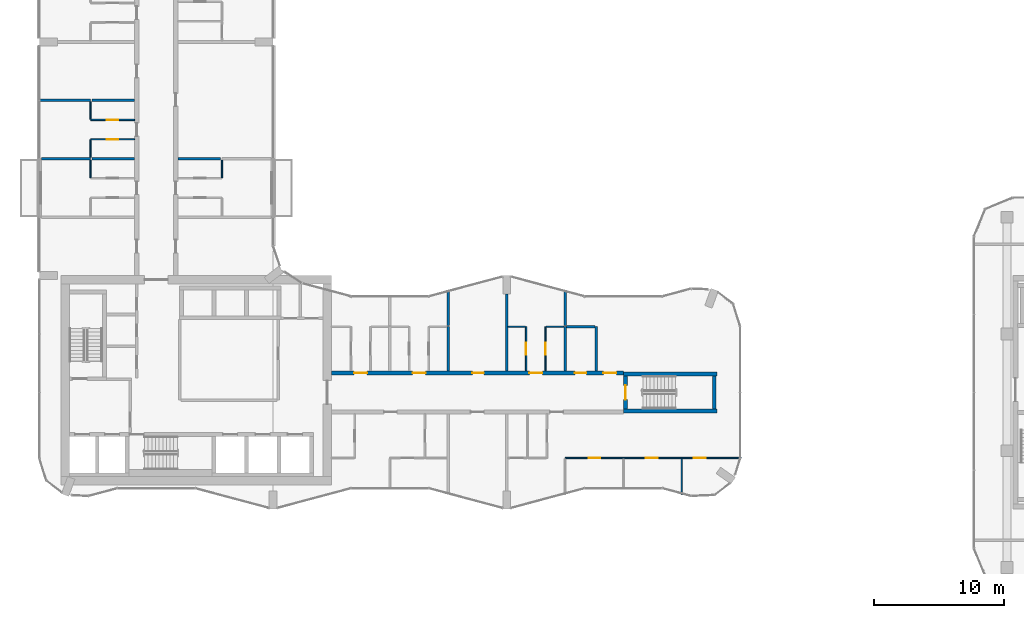
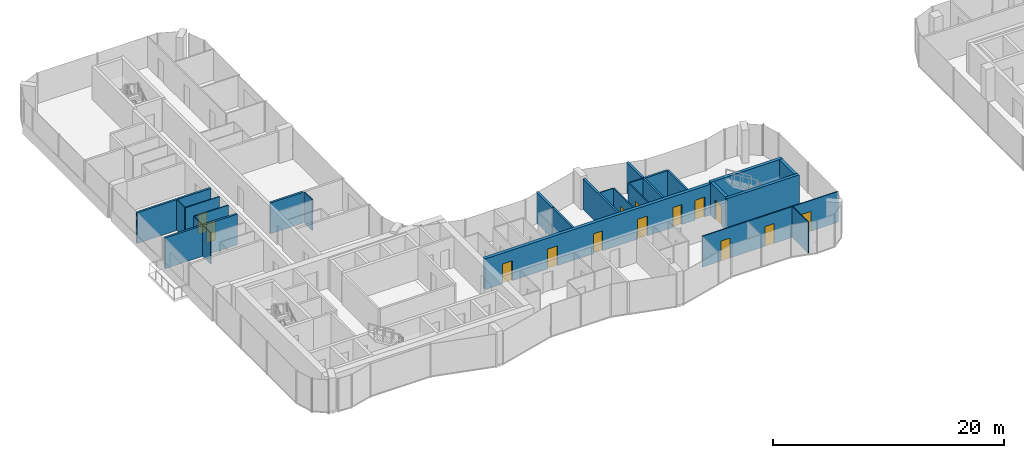
# One storey, part 15 of 22: 29 walls, 14 doors, 14 openings.
"""IFC4 building model written with IfcOpenShell, lengths in metres."""

from ifc_helpers import new_model, si_unit, direction, frame, frame_2d, origin, place, context, subcontext, project, spatial, rectangle, extrude, material, layer, layer_set, type_object, element, fill, save


model = new_model("IFC4")

# Units and contexts
model_context = context("Model", 3, precision=1e-05, world=origin(), true_north=direction((0.0, 1.0)))
body_context = subcontext(model_context, "Body", "Model", "MODEL_VIEW")
ifc_project = project(units=[si_unit("LENGTHUNIT", "METRE"), si_unit("AREAUNIT", "SQUARE_METRE"), si_unit("VOLUMEUNIT", "CUBIC_METRE"), si_unit("PLANEANGLEUNIT", "RADIAN"), si_unit("MASSUNIT", "GRAM", prefix="KILO")], contexts=[model_context])

# Site, building, storey
site_placement = place(None, origin())
site = spatial("IfcSite", under=ifc_project, at=site_placement, CompositionType="ELEMENT")
building_placement = place(site_placement, origin())
building = spatial("IfcBuilding", under=site, at=building_placement, Name="Plateau Cross Towers", CompositionType="ELEMENT")
storey_placement = place(building_placement, frame((0.0, 0.0, 106.300048828125)))
storey = spatial("IfcBuildingStorey", under=building, at=storey_placement, Name="L27", CompositionType="ELEMENT", Elevation=106.300048828125)

# Wall, openings, doors
ifc_material_1 = material(Name="Concrete C60/75", Category="concrete")
ifc_layer_1 = layer(ifc_material_1, 0.324951171875)
ifc_layer_set_1 = layer_set([ifc_layer_1], Name="Concrete C60/75")
wall_type_1 = type_object("IfcWallType", Name="Corridor wall 325", PredefinedType="SHEAR", material=ifc_layer_set_1)
wall_1_placement = place(storey_placement, frame((22.5, 10.5, 0.0), z_axis=(0.0, 0.0, 1.0), x_axis=(1.0, 0.0, 0.0)))
wall_1 = element("IfcWall", 1, at=wall_1_placement, inside=storey, type_object=wall_type_1, Name="A-cw-S2@L27", PredefinedType="SHEAR", context=body_context, shape_type="SweptSolid", body=[
    extrude(rectangle(XDim=22.5, YDim=0.324951171875, at=frame_2d((11.25, 0.0))), origin(), (0.0, 0.0, 1.0), 3.25),
])
opening_1_placement = place(wall_1_placement, frame((1.75, 0.0, 0.0)))
opening_1 = element("IfcOpeningElement", 2, at=opening_1_placement, cuts=wall_1, Name="Opening 27-04", PredefinedType="OPENING", context=body_context, shape_type="SweptSolid", body=[
    extrude(rectangle(XDim=1.0, YDim=2.10009765625, at=frame_2d((0.5, 1.050048828125))), frame((0.0, 0.17236328125, 0.0), z_axis=(0.0, -1.0, 0.0), x_axis=(1.0, 0.0, 0.0)), (0.0, 0.0, 1.0), 0.344970703125),
])
opening_2_placement = place(wall_1_placement, frame((6.25, 0.0, 0.0)))
opening_2 = element("IfcOpeningElement", 3, at=opening_2_placement, cuts=wall_1, Name="Opening 27-05", PredefinedType="OPENING", context=body_context, shape_type="SweptSolid", body=[
    extrude(rectangle(XDim=1.0, YDim=2.10009765625, at=frame_2d((0.5, 1.050048828125))), frame((0.0, 0.17236328125, 0.0), z_axis=(0.0, -1.0, 0.0), x_axis=(1.0, 0.0, 0.0)), (0.0, 0.0, 1.0), 0.344970703125),
])
opening_3_placement = place(wall_1_placement, frame((10.85009765625, 0.0, 0.0)))
opening_3 = element("IfcOpeningElement", 4, at=opening_3_placement, cuts=wall_1, Name="Opening 27-06", PredefinedType="OPENING", context=body_context, shape_type="SweptSolid", body=[
    extrude(rectangle(XDim=0.89990234375, YDim=2.10009765625, at=frame_2d((0.449951171875, 1.050048828125))), frame((0.0, 0.17236328125, 0.0), z_axis=(0.0, -1.0, 0.0), x_axis=(1.0, 0.0, 0.0)), (0.0, 0.0, 1.0), 0.344970703125),
])
opening_4_placement = place(wall_1_placement, frame((15.25, 0.0, 0.0)))
opening_4 = element("IfcOpeningElement", 5, at=opening_4_placement, cuts=wall_1, Name="Opening 27-07", PredefinedType="OPENING", context=body_context, shape_type="SweptSolid", body=[
    extrude(rectangle(XDim=1.0, YDim=2.10009765625, at=frame_2d((0.5, 1.050048828125))), frame((0.0, 0.17236328125, 0.0), z_axis=(0.0, -1.0, 0.0), x_axis=(1.0, 0.0, 0.0)), (0.0, 0.0, 1.0), 0.344970703125),
])
opening_5_placement = place(wall_1_placement, frame((18.75, 0.0, 0.0)))
opening_5 = element("IfcOpeningElement", 6, at=opening_5_placement, cuts=wall_1, Name="Opening 27-08", PredefinedType="OPENING", context=body_context, shape_type="SweptSolid", body=[
    extrude(rectangle(XDim=0.89990234375, YDim=2.10009765625, at=frame_2d((0.449951171875, 1.050048828125))), frame((0.0, 0.17236328125, 0.0), z_axis=(0.0, -1.0, 0.0), x_axis=(1.0, 0.0, 0.0)), (0.0, 0.0, 1.0), 0.344970703125),
])
opening_6_placement = place(wall_1_placement, frame((20.949951171875, 0.0, 0.0)))
opening_6 = element("IfcOpeningElement", 7, at=opening_6_placement, cuts=wall_1, Name="Opening 27-09", PredefinedType="OPENING", context=body_context, shape_type="SweptSolid", body=[
    extrude(rectangle(XDim=1.0, YDim=2.10009765625, at=frame_2d((0.5, 1.050048828125))), frame((0.0, 0.17236328125, 0.0), z_axis=(0.0, -1.0, 0.0), x_axis=(1.0, 0.0, 0.0)), (0.0, 0.0, 1.0), 0.344970703125),
])
ifc_material_2 = material(Name="Timber, fire-resisting leaf", Category="wood")
door_type_1 = type_object("IfcDoorType", Name="Flat entrance door 1000", OperationType="NOTDEFINED", PredefinedType="DOOR", material=ifc_material_2)
door_1_placement = place(opening_1_placement, origin())
door_1 = element("IfcDoor", 8, at=door_1_placement, inside=storey, type_object=door_type_1, Name="Door 27-04", OperationType="SINGLE_SWING_LEFT", OverallHeight=2.10009765625, OverallWidth=1.0, PredefinedType="DOOR", context=body_context, shape_type="SweptSolid", body=[
    extrude(rectangle(XDim=1.0, YDim=2.10009765625, at=frame_2d((0.5, 1.050048828125))), frame((0.0, 0.02490234375, 0.0), z_axis=(0.0, -1.0, 0.0), x_axis=(1.0, 0.0, 0.0)), (0.0, 0.0, 1.0), 0.050048828125),
])
fill(opening_1, door_1)
door_2_placement = place(opening_2_placement, origin())
door_2 = element("IfcDoor", 9, at=door_2_placement, inside=storey, type_object=door_type_1, Name="Door 27-05", OperationType="SINGLE_SWING_LEFT", OverallHeight=2.10009765625, OverallWidth=1.0, PredefinedType="DOOR", context=body_context, shape_type="SweptSolid", body=[
    extrude(rectangle(XDim=1.0, YDim=2.10009765625, at=frame_2d((0.5, 1.050048828125))), frame((0.0, 0.02490234375, 0.0), z_axis=(0.0, -1.0, 0.0), x_axis=(1.0, 0.0, 0.0)), (0.0, 0.0, 1.0), 0.050048828125),
])
fill(opening_2, door_2)
door_3_placement = place(opening_4_placement, origin())
door_3 = element("IfcDoor", 10, at=door_3_placement, inside=storey, type_object=door_type_1, Name="Door 27-07", OperationType="SINGLE_SWING_RIGHT", OverallHeight=2.10009765625, OverallWidth=1.0, PredefinedType="DOOR", context=body_context, shape_type="SweptSolid", body=[
    extrude(rectangle(XDim=1.0, YDim=2.10009765625, at=frame_2d((0.5, 1.050048828125))), frame((0.0, 0.02490234375, 0.0), z_axis=(0.0, -1.0, 0.0), x_axis=(1.0, 0.0, 0.0)), (0.0, 0.0, 1.0), 0.050048828125),
])
fill(opening_4, door_3)
door_4_placement = place(opening_6_placement, origin())
door_4 = element("IfcDoor", 11, at=door_4_placement, inside=storey, type_object=door_type_1, Name="Door 27-09", OperationType="SINGLE_SWING_RIGHT", OverallHeight=2.10009765625, OverallWidth=1.0, PredefinedType="DOOR", context=body_context, shape_type="SweptSolid", body=[
    extrude(rectangle(XDim=1.0, YDim=2.10009765625, at=frame_2d((0.5, 1.050048828125))), frame((0.0, 0.02490234375, 0.0), z_axis=(0.0, -1.0, 0.0), x_axis=(1.0, 0.0, 0.0)), (0.0, 0.0, 1.0), 0.050048828125),
])
fill(opening_6, door_4)
door_type_2 = type_object("IfcDoorType", Name="Flat floor service door 900", OperationType="NOTDEFINED", PredefinedType="DOOR", material=ifc_material_2)
door_5_placement = place(opening_3_placement, origin())
door_5 = element("IfcDoor", 12, at=door_5_placement, inside=storey, type_object=door_type_2, Name="Door 27-06", OperationType="SINGLE_SWING_RIGHT", OverallHeight=2.10009765625, OverallWidth=0.89990234375, PredefinedType="DOOR", context=body_context, shape_type="SweptSolid", body=[
    extrude(rectangle(XDim=0.89990234375, YDim=2.10009765625, at=frame_2d((0.449951171875, 1.050048828125))), frame((0.0, 0.02490234375, 0.0), z_axis=(0.0, -1.0, 0.0), x_axis=(1.0, 0.0, 0.0)), (0.0, 0.0, 1.0), 0.050048828125),
])
fill(opening_3, door_5)
door_6_placement = place(opening_5_placement, origin())
door_6 = element("IfcDoor", 13, at=door_6_placement, inside=storey, type_object=door_type_2, Name="Door 27-08", OperationType="SINGLE_SWING_RIGHT", OverallHeight=2.10009765625, OverallWidth=0.89990234375, PredefinedType="DOOR", context=body_context, shape_type="SweptSolid", body=[
    extrude(rectangle(XDim=0.89990234375, YDim=2.10009765625, at=frame_2d((0.449951171875, 1.050048828125))), frame((0.0, 0.02490234375, 0.0), z_axis=(0.0, -1.0, 0.0), x_axis=(1.0, 0.0, 0.0)), (0.0, 0.0, 1.0), 0.050048828125),
])
fill(opening_5, door_6)

ifc_material_3 = material(Name="Gypsum board on steel studs", Category="steel")
ifc_layer_2 = layer(ifc_material_3, 0.10009765625)
ifc_layer_set_2 = layer_set([ifc_layer_2], Name="Gypsum board on steel studs")
wall_type_2 = type_object("IfcWallType", Name="Flat partition 100", PredefinedType="PARTITIONING", material=ifc_layer_set_2)
wall_2_placement = place(storey_placement, frame((54.080078125, 3.9375, 0.0), z_axis=(0.0, 0.0, 1.0), x_axis=(-1.0, 0.0, 0.0)))
wall_2 = element("IfcWall", 14, at=wall_2_placement, inside=storey, type_object=wall_type_2, Name="Partition wall", PredefinedType="PARTITIONING", context=body_context, shape_type="SweptSolid", body=[
    extrude(rectangle(XDim=13.580078125, YDim=0.10009765625, at=frame_2d((6.7900390625, 0.0))), origin(), (0.0, 0.0, 1.0), 3.25),
])
opening_7_placement = place(wall_2_placement, frame((10.85009765625, 0.0, 0.0)))
opening_7 = element("IfcOpeningElement", 15, at=opening_7_placement, cuts=wall_2, Name="Opening 27-26", PredefinedType="OPENING", context=body_context, shape_type="SweptSolid", body=[
    extrude(rectangle(XDim=0.89990234375, YDim=2.10009765625, at=frame_2d((0.449951171875, 1.050048828125))), frame((0.0, 0.06005859375, 0.0), z_axis=(0.0, -1.0, 0.0), x_axis=(1.0, 0.0, 0.0)), (0.0, 0.0, 1.0), 0.1201171875),
])
opening_8_placement = place(wall_2_placement, frame((6.449951171875, 0.0, 0.0)))
opening_8 = element("IfcOpeningElement", 16, at=opening_8_placement, cuts=wall_2, Name="Opening 27-27", PredefinedType="OPENING", context=body_context, shape_type="SweptSolid", body=[
    extrude(rectangle(XDim=0.89990234375, YDim=2.10009765625, at=frame_2d((0.449951171875, 1.050048828125))), frame((0.0, 0.06005859375, 0.0), z_axis=(0.0, -1.0, 0.0), x_axis=(1.0, 0.0, 0.0)), (0.0, 0.0, 1.0), 0.1201171875),
])
opening_9_placement = place(wall_2_placement, frame((2.75, 0.0, 0.0)))
opening_9 = element("IfcOpeningElement", 17, at=opening_9_placement, cuts=wall_2, Name="Opening 27-28", PredefinedType="OPENING", context=body_context, shape_type="SweptSolid", body=[
    extrude(rectangle(XDim=0.89990234375, YDim=2.10009765625, at=frame_2d((0.449951171875, 1.050048828125))), frame((0.0, 0.06005859375, 0.0), z_axis=(0.0, -1.0, 0.0), x_axis=(1.0, 0.0, 0.0)), (0.0, 0.0, 1.0), 0.1201171875),
])
ifc_material_4 = material(Name="Timber leaf", Category="wood")
door_type_3 = type_object("IfcDoorType", Name="Flat room door 900", OperationType="NOTDEFINED", PredefinedType="DOOR", material=ifc_material_4)
door_7_placement = place(opening_7_placement, origin())
door_7 = element("IfcDoor", 18, at=door_7_placement, inside=storey, type_object=door_type_3, Name="Door 27-26", OperationType="SINGLE_SWING_RIGHT", OverallHeight=2.10009765625, OverallWidth=0.89990234375, PredefinedType="DOOR", context=body_context, shape_type="SweptSolid", body=[
    extrude(rectangle(XDim=0.89990234375, YDim=2.10009765625, at=frame_2d((0.449951171875, 1.050048828125))), frame((0.0, 0.02490234375, 0.0), z_axis=(0.0, -1.0, 0.0), x_axis=(1.0, 0.0, 0.0)), (0.0, 0.0, 1.0), 0.050048828125),
])
fill(opening_7, door_7)
door_8_placement = place(opening_8_placement, origin())
door_8 = element("IfcDoor", 19, at=door_8_placement, inside=storey, type_object=door_type_3, Name="Door 27-27", OperationType="SINGLE_SWING_RIGHT", OverallHeight=2.10009765625, OverallWidth=0.89990234375, PredefinedType="DOOR", context=body_context, shape_type="SweptSolid", body=[
    extrude(rectangle(XDim=0.89990234375, YDim=2.10009765625, at=frame_2d((0.449951171875, 1.050048828125))), frame((0.0, 0.02490234375, 0.0), z_axis=(0.0, -1.0, 0.0), x_axis=(1.0, 0.0, 0.0)), (0.0, 0.0, 1.0), 0.050048828125),
])
fill(opening_8, door_8)
door_9_placement = place(opening_9_placement, origin())
door_9 = element("IfcDoor", 20, at=door_9_placement, inside=storey, type_object=door_type_3, Name="Door 27-28", OperationType="SINGLE_SWING_LEFT", OverallHeight=2.10009765625, OverallWidth=0.89990234375, PredefinedType="DOOR", context=body_context, shape_type="SweptSolid", body=[
    extrude(rectangle(XDim=0.89990234375, YDim=2.10009765625, at=frame_2d((0.449951171875, 1.050048828125))), frame((0.0, 0.02490234375, 0.0), z_axis=(0.0, -1.0, 0.0), x_axis=(1.0, 0.0, 0.0)), (0.0, 0.0, 1.0), 0.050048828125),
])
fill(opening_9, door_9)

# Walls
for number, where, z_axis, x_axis, name in (
    (21, (37.449951171875, 14.0625, 0.0), (0.0, 0.0, 1.0), (-1.0, 0.0, 0.0), "Partition wall"),
    (22, (40.39990234375, 14.0625, 0.0), (0.0, 0.0, 1.0), (-1.0, 0.0, 0.0), "Partition wall"),
):
    element("IfcWall", number, at=place(storey_placement, frame(where, z_axis=z_axis, x_axis=x_axis)), inside=storey, type_object=wall_type_2, Name=name, PredefinedType="PARTITIONING", context=body_context, shape_type="SweptSolid", body=[
        extrude(rectangle(XDim=1.349853515625, YDim=0.10009765625, at=frame_2d((0.6748046875, 0.0))), origin(), (0.0, 0.0, 1.0), 3.25),
    ])

# Wall, opening, door
wall_3_placement = place(storey_placement, frame((7.33740234375, 28.5, 0.0), z_axis=(0.0, 0.0, 1.0), x_axis=(-1.0, 0.0, 0.0)))
wall_3 = element("IfcWall", 23, at=wall_3_placement, inside=storey, type_object=wall_type_2, Name="Partition wall", PredefinedType="PARTITIONING", context=body_context, shape_type="SweptSolid", body=[
    extrude(rectangle(XDim=3.39990234375, YDim=0.10009765625, at=frame_2d((1.699951171875, 0.0))), origin(), (0.0, 0.0, 1.0), 3.25),
])
opening_10_placement = place(wall_3_placement, frame((1.25, 0.0, 0.0)))
opening_10 = element("IfcOpeningElement", 24, at=opening_10_placement, cuts=wall_3, Name="Opening 27-37", PredefinedType="OPENING", context=body_context, shape_type="SweptSolid", body=[
    extrude(rectangle(XDim=0.89990234375, YDim=2.10009765625, at=frame_2d((0.449951171875, 1.050048828125))), frame((0.0, 0.06005859375, 0.0), z_axis=(0.0, -1.0, 0.0), x_axis=(1.0, 0.0, 0.0)), (0.0, 0.0, 1.0), 0.1201171875),
])
door_10_placement = place(opening_10_placement, origin())
door_10 = element("IfcDoor", 25, at=door_10_placement, inside=storey, type_object=door_type_3, Name="Door 27-37", OperationType="SINGLE_SWING_LEFT", OverallHeight=2.10009765625, OverallWidth=0.89990234375, PredefinedType="DOOR", context=body_context, shape_type="SweptSolid", body=[
    extrude(rectangle(XDim=0.89990234375, YDim=2.10009765625, at=frame_2d((0.449951171875, 1.050048828125))), frame((0.0, 0.02490234375, 0.0), z_axis=(0.0, -1.0, 0.0), x_axis=(1.0, 0.0, 0.0)), (0.0, 0.0, 1.0), 0.050048828125),
])
fill(opening_10, door_10)

wall_4_placement = place(storey_placement, frame((3.9375, 30.0, 0.0), z_axis=(0.0, 0.0, 1.0), x_axis=(1.0, 0.0, 0.0)))
wall_4 = element("IfcWall", 26, at=wall_4_placement, inside=storey, type_object=wall_type_2, Name="Partition wall", PredefinedType="PARTITIONING", context=body_context, shape_type="SweptSolid", body=[
    extrude(rectangle(XDim=3.39990234375, YDim=0.10009765625, at=frame_2d((1.699951171875, 0.0))), origin(), (0.0, 0.0, 1.0), 3.25),
])
opening_11_placement = place(wall_4_placement, frame((1.25, 0.0, 0.0)))
opening_11 = element("IfcOpeningElement", 27, at=opening_11_placement, cuts=wall_4, Name="Opening 27-38", PredefinedType="OPENING", context=body_context, shape_type="SweptSolid", body=[
    extrude(rectangle(XDim=0.89990234375, YDim=2.10009765625, at=frame_2d((0.449951171875, 1.050048828125))), frame((0.0, 0.06005859375, 0.0), z_axis=(0.0, -1.0, 0.0), x_axis=(1.0, 0.0, 0.0)), (0.0, 0.0, 1.0), 0.1201171875),
])
door_11_placement = place(opening_11_placement, origin())
door_11 = element("IfcDoor", 28, at=door_11_placement, inside=storey, type_object=door_type_3, Name="Door 27-38", OperationType="SINGLE_SWING_LEFT", OverallHeight=2.10009765625, OverallWidth=0.89990234375, PredefinedType="DOOR", context=body_context, shape_type="SweptSolid", body=[
    extrude(rectangle(XDim=0.89990234375, YDim=2.10009765625, at=frame_2d((0.449951171875, 1.050048828125))), frame((0.0, 0.02490234375, 0.0), z_axis=(0.0, -1.0, 0.0), x_axis=(1.0, 0.0, 0.0)), (0.0, 0.0, 1.0), 0.050048828125),
])
fill(opening_11, door_11)

# Walls
for number, where, z_axis, x_axis, name in (
    (29, (3.9375, 26.89990234375, 0.0), (0.0, 0.0, 1.0), (0.0, -1.0, 0.0), "Partition wall"),
    (30, (3.9375, 28.449951171875, 0.0), (0.0, 0.0, 1.0), (0.0, -1.0, 0.0), "Partition wall"),
    (31, (3.9375, 31.39990234375, 0.0), (0.0, 0.0, 1.0), (0.0, -1.0, 0.0), "Partition wall"),
    (32, (14.0625, 25.550048828125, 0.0), (0.0, 0.0, 1.0), (0.0, 1.0, 0.0), "Partition wall"),
):
    element("IfcWall", number, at=place(storey_placement, frame(where, z_axis=z_axis, x_axis=x_axis)), inside=storey, type_object=wall_type_2, Name=name, PredefinedType="PARTITIONING", context=body_context, shape_type="SweptSolid", body=[
        extrude(rectangle(XDim=1.349853515625, YDim=0.10009765625, at=frame_2d((0.6748046875, 0.0))), origin(), (0.0, 0.0, 1.0), 3.25),
    ])

# Wall, opening, door
wall_5_placement = place(storey_placement, frame((37.5, 10.66259765625, 0.0), z_axis=(0.0, 0.0, 1.0), x_axis=(0.0, 1.0, 0.0)))
wall_5 = element("IfcWall", 33, at=wall_5_placement, inside=storey, type_object=wall_type_2, Name="Partition wall", PredefinedType="PARTITIONING", context=body_context, shape_type="SweptSolid", body=[
    extrude(rectangle(XDim=3.39990234375, YDim=0.10009765625, at=frame_2d((1.699951171875, 0.0))), origin(), (0.0, 0.0, 1.0), 3.25),
])
opening_12_placement = place(wall_5_placement, frame((1.25, 0.0, 0.0)))
opening_12 = element("IfcOpeningElement", 34, at=opening_12_placement, cuts=wall_5, Name="Opening 27-33", PredefinedType="OPENING", context=body_context, shape_type="SweptSolid", body=[
    extrude(rectangle(XDim=0.89990234375, YDim=2.10009765625, at=frame_2d((0.449951171875, 1.050048828125))), frame((0.0, 0.06005859375, 0.0), z_axis=(0.0, -1.0, 0.0), x_axis=(1.0, 0.0, 0.0)), (0.0, 0.0, 1.0), 0.1201171875),
])
door_12_placement = place(opening_12_placement, origin())
door_12 = element("IfcDoor", 35, at=door_12_placement, inside=storey, type_object=door_type_3, Name="Door 27-33", OperationType="SINGLE_SWING_LEFT", OverallHeight=2.10009765625, OverallWidth=0.89990234375, PredefinedType="DOOR", context=body_context, shape_type="SweptSolid", body=[
    extrude(rectangle(XDim=0.89990234375, YDim=2.10009765625, at=frame_2d((0.449951171875, 1.050048828125))), frame((0.0, 0.02490234375, 0.0), z_axis=(0.0, -1.0, 0.0), x_axis=(1.0, 0.0, 0.0)), (0.0, 0.0, 1.0), 0.050048828125),
])
fill(opening_12, door_12)

wall_6_placement = place(storey_placement, frame((39.0, 14.0625, 0.0), z_axis=(0.0, 0.0, 1.0), x_axis=(0.0, -1.0, 0.0)))
wall_6 = element("IfcWall", 36, at=wall_6_placement, inside=storey, type_object=wall_type_2, Name="Partition wall", PredefinedType="PARTITIONING", context=body_context, shape_type="SweptSolid", body=[
    extrude(rectangle(XDim=3.39990234375, YDim=0.10009765625, at=frame_2d((1.699951171875, 0.0))), origin(), (0.0, 0.0, 1.0), 3.25),
])
opening_13_placement = place(wall_6_placement, frame((1.25, 0.0, 0.0)))
opening_13 = element("IfcOpeningElement", 37, at=opening_13_placement, cuts=wall_6, Name="Opening 27-34", PredefinedType="OPENING", context=body_context, shape_type="SweptSolid", body=[
    extrude(rectangle(XDim=0.89990234375, YDim=2.10009765625, at=frame_2d((0.449951171875, 1.050048828125))), frame((0.0, 0.06005859375, 0.0), z_axis=(0.0, -1.0, 0.0), x_axis=(1.0, 0.0, 0.0)), (0.0, 0.0, 1.0), 0.1201171875),
])
door_13_placement = place(opening_13_placement, origin())
door_13 = element("IfcDoor", 38, at=door_13_placement, inside=storey, type_object=door_type_3, Name="Door 27-34", OperationType="SINGLE_SWING_LEFT", OverallHeight=2.10009765625, OverallWidth=0.89990234375, PredefinedType="DOOR", context=body_context, shape_type="SweptSolid", body=[
    extrude(rectangle(XDim=0.89990234375, YDim=2.10009765625, at=frame_2d((0.449951171875, 1.050048828125))), frame((0.0, 0.02490234375, 0.0), z_axis=(0.0, -1.0, 0.0), x_axis=(1.0, 0.0, 0.0)), (0.0, 0.0, 1.0), 0.050048828125),
])
fill(opening_13, door_13)

# Walls
wall_7_placement = place(storey_placement, frame((49.5, 1.122314453125, 0.0), z_axis=(0.0, 0.0, 1.0), x_axis=(0.0, 1.0, 0.0)))
element("IfcWall", 39, at=wall_7_placement, inside=storey, type_object=wall_type_2, Name="Partition wall", PredefinedType="PARTITIONING", context=body_context, shape_type="SweptSolid", body=[
    extrude(rectangle(XDim=2.76513671875, YDim=0.10009765625, at=frame_2d((1.382568359375, 0.0))), origin(), (0.0, 0.0, 1.0), 3.25),
])
ifc_material_5 = material(Name="Gypsum board on steel studs, two layers each side", Category="steel")
ifc_layer_3 = layer(ifc_material_5, 0.199951171875)
ifc_layer_set_3 = layer_set([ifc_layer_3], Name="Gypsum board on steel studs, two layers each side")
wall_type_3 = type_object("IfcWallType", Name="Flat party wall 200", PredefinedType="PARTITIONING", material=ifc_layer_set_3)
wall_8_placement = place(storey_placement, frame((42.800048828125, 14.0625, 0.0), z_axis=(0.0, 0.0, 1.0), x_axis=(-1.0, 0.0, 0.0)))
element("IfcWall", 40, at=wall_8_placement, inside=storey, type_object=wall_type_3, Name="Party wall", PredefinedType="PARTITIONING", context=body_context, shape_type="SweptSolid", body=[
    extrude(rectangle(XDim=2.199951171875, YDim=0.199951171875, at=frame_2d((1.10009765625, 0.0))), origin(), (0.0, 0.0, 1.0), 3.25),
])
for number, where, z_axis, x_axis, name in (
    (41, (7.33740234375, 27.0, 0.0), (0.0, 0.0, 1.0), (-1.0, 0.0, 0.0), "Party wall"),
    (42, (13.96240234375, 27.0, 0.0), (0.0, 0.0, 1.0), (-1.0, 0.0, 0.0), "Party wall"),
):
    element("IfcWall", number, at=place(storey_placement, frame(where, z_axis=z_axis, x_axis=x_axis)), inside=storey, type_object=wall_type_3, Name=name, PredefinedType="PARTITIONING", context=body_context, shape_type="SweptSolid", body=[
        extrude(rectangle(XDim=3.2998046875, YDim=0.199951171875, at=frame_2d((1.64990234375, 0.0))), origin(), (0.0, 0.0, 1.0), 3.25),
    ])
wall_9_placement = place(storey_placement, frame((0.14990234375, 27.0, 0.0), z_axis=(0.0, 0.0, 1.0), x_axis=(1.0, 0.0, 0.0)))
element("IfcWall", 43, at=wall_9_placement, inside=storey, type_object=wall_type_3, Name="Party wall", PredefinedType="PARTITIONING", context=body_context, shape_type="SweptSolid", body=[
    extrude(rectangle(XDim=3.78759765625, YDim=0.199951171875, at=frame_2d((1.893798828125, 0.0))), origin(), (0.0, 0.0, 1.0), 3.25),
])
wall_10_placement = place(storey_placement, frame((7.33740234375, 31.5, 0.0), z_axis=(0.0, 0.0, 1.0), x_axis=(-1.0, 0.0, 0.0)))
element("IfcWall", 44, at=wall_10_placement, inside=storey, type_object=wall_type_3, Name="Party wall", PredefinedType="PARTITIONING", context=body_context, shape_type="SweptSolid", body=[
    extrude(rectangle(XDim=3.2998046875, YDim=0.199951171875, at=frame_2d((1.64990234375, 0.0))), origin(), (0.0, 0.0, 1.0), 3.25),
])
wall_11_placement = place(storey_placement, frame((-0.080078125, 31.5, 0.0), z_axis=(0.0, 0.0, 1.0), x_axis=(1.0, 0.0, 0.0)))
element("IfcWall", 45, at=wall_11_placement, inside=storey, type_object=wall_type_3, Name="Party wall", PredefinedType="PARTITIONING", context=body_context, shape_type="SweptSolid", body=[
    extrude(rectangle(XDim=4.017578125, YDim=0.199951171875, at=frame_2d((2.0087890625, 0.0))), origin(), (0.0, 0.0, 1.0), 3.25),
])
wall_12_placement = place(storey_placement, frame((31.5, 16.877685546875, 0.0), z_axis=(0.0, 0.0, 1.0), x_axis=(0.0, -1.0, 0.0)))
element("IfcWall", 46, at=wall_12_placement, inside=storey, type_object=wall_type_3, Name="Party wall", PredefinedType="PARTITIONING", context=body_context, shape_type="SweptSolid", body=[
    extrude(rectangle(XDim=2.715087890625, YDim=0.199951171875, at=frame_2d((1.357421875, 0.0))), origin(), (0.0, 0.0, 1.0), 3.25),
])
wall_13_placement = place(storey_placement, frame((31.5, 10.66259765625, 0.0), z_axis=(0.0, 0.0, 1.0), x_axis=(0.0, 1.0, 0.0)))
element("IfcWall", 47, at=wall_13_placement, inside=storey, type_object=wall_type_3, Name="Party wall", PredefinedType="PARTITIONING", context=body_context, shape_type="SweptSolid", body=[
    extrude(rectangle(XDim=3.39990234375, YDim=0.199951171875, at=frame_2d((1.699951171875, 0.0))), origin(), (0.0, 0.0, 1.0), 3.25),
])
wall_14_placement = place(storey_placement, frame((36.0, 10.66259765625, 0.0), z_axis=(0.0, 0.0, 1.0), x_axis=(0.0, 1.0, 0.0)))
element("IfcWall", 48, at=wall_14_placement, inside=storey, type_object=wall_type_3, Name="Party wall", PredefinedType="PARTITIONING", context=body_context, shape_type="SweptSolid", body=[
    extrude(rectangle(XDim=5.9375, YDim=0.199951171875, at=frame_2d((2.96875, 0.0))), origin(), (0.0, 0.0, 1.0), 3.25),
])
wall_15_placement = place(storey_placement, frame((40.5, 16.877685546875, 0.0), z_axis=(0.0, 0.0, 1.0), x_axis=(0.0, -1.0, 0.0)))
element("IfcWall", 49, at=wall_15_placement, inside=storey, type_object=wall_type_3, Name="Party wall", PredefinedType="PARTITIONING", context=body_context, shape_type="SweptSolid", body=[
    extrude(rectangle(XDim=2.715087890625, YDim=0.199951171875, at=frame_2d((1.357421875, 0.0))), origin(), (0.0, 0.0, 1.0), 3.25),
])
for number, where, z_axis, x_axis, name in (
    (50, (40.5, 10.66259765625, 0.0), (0.0, 0.0, 1.0), (0.0, 1.0, 0.0), "Party wall"),
    (51, (42.89990234375, 10.66259765625, 0.0), (0.0, 0.0, 1.0), (0.0, 1.0, 0.0), "Party wall"),
):
    element("IfcWall", number, at=place(storey_placement, frame(where, z_axis=z_axis, x_axis=x_axis)), inside=storey, type_object=wall_type_3, Name=name, PredefinedType="PARTITIONING", context=body_context, shape_type="SweptSolid", body=[
        extrude(rectangle(XDim=3.39990234375, YDim=0.199951171875, at=frame_2d((1.699951171875, 0.0))), origin(), (0.0, 0.0, 1.0), 3.25),
    ])

# Wall, opening, door
ifc_layer_4 = layer(ifc_material_1, 0.300048828125)
ifc_layer_set_4 = layer_set([ifc_layer_4], Name="Concrete C60/75")
wall_type_4 = type_object("IfcWallType", Name="Stair tower wall 300", PredefinedType="SHEAR", material=ifc_layer_set_4)
wall_16_placement = place(storey_placement, frame((45.14990234375, 7.72509765625, 0.0), z_axis=(0.0, 0.0, 1.0), x_axis=(0.0, 1.0, 0.0)))
wall_16 = element("IfcWall", 52, at=wall_16_placement, inside=storey, type_object=wall_type_4, Name="A-end-E-W@L27", PredefinedType="SHEAR", context=body_context, shape_type="SweptSolid", body=[
    extrude(rectangle(XDim=2.5498046875, YDim=0.300048828125, at=frame_2d((1.27490234375, 0.0))), origin(), (0.0, 0.0, 1.0), 3.5),
])
opening_14_placement = place(wall_16_placement, frame((0.72509765625, 0.0, 0.0)))
opening_14 = element("IfcOpeningElement", 53, at=opening_14_placement, cuts=wall_16, Name="Opening SD", PredefinedType="OPENING", context=body_context, shape_type="SweptSolid", body=[
    extrude(rectangle(XDim=1.10009765625, YDim=2.10009765625, at=frame_2d((0.550048828125, 1.050048828125))), frame((0.0, 0.159912109375, 0.0), z_axis=(0.0, -1.0, 0.0), x_axis=(1.0, 0.0, 0.0)), (0.0, 0.0, 1.0), 0.320068359375),
])
ifc_material_6 = material(Name="Steel, fire-resisting leaf", Category="steel")
door_type_4 = type_object("IfcDoorType", Name="Stair door 1100", OperationType="NOTDEFINED", PredefinedType="DOOR", material=ifc_material_6)
door_14_placement = place(opening_14_placement, origin())
door_14 = element("IfcDoor", 54, at=door_14_placement, inside=storey, type_object=door_type_4, Name="Stair door SD", OperationType="SINGLE_SWING_LEFT", OverallHeight=2.10009765625, OverallWidth=1.10009765625, PredefinedType="DOOR", context=body_context, shape_type="SweptSolid", body=[
    extrude(rectangle(XDim=1.10009765625, YDim=2.10009765625, at=frame_2d((0.550048828125, 1.050048828125))), frame((0.0, 0.02490234375, 0.0), z_axis=(0.0, -1.0, 0.0), x_axis=(1.0, 0.0, 0.0)), (0.0, 0.0, 1.0), 0.050048828125),
])
fill(opening_14, door_14)

# Walls
wall_17_placement = place(storey_placement, frame((52.0, 7.72509765625, 0.0), z_axis=(0.0, 0.0, 1.0), x_axis=(0.0, 1.0, 0.0)))
element("IfcWall", 55, at=wall_17_placement, inside=storey, type_object=wall_type_4, Name="A-end-E-E@L27", PredefinedType="SHEAR", context=body_context, shape_type="SweptSolid", body=[
    extrude(rectangle(XDim=2.5498046875, YDim=0.300048828125, at=frame_2d((1.27490234375, 0.0))), origin(), (0.0, 0.0, 1.0), 3.5),
])
for number, where, z_axis, x_axis, name in (
    (56, (45.0, 7.574951171875, 0.0), (0.0, 0.0, 1.0), (1.0, 0.0, 0.0), "A-end-E-S@L27"),
    (57, (45.0, 10.425048828125, 0.0), (0.0, 0.0, 1.0), (1.0, 0.0, 0.0), "A-end-E-N@L27"),
):
    element("IfcWall", number, at=place(storey_placement, frame(where, z_axis=z_axis, x_axis=x_axis)), inside=storey, type_object=wall_type_4, Name=name, PredefinedType="SHEAR", context=body_context, shape_type="SweptSolid", body=[
        extrude(rectangle(XDim=7.199951171875, YDim=0.300048828125, at=frame_2d((3.60009765625, 0.0))), origin(), (0.0, 0.0, 1.0), 3.5),
    ])

save(model, "model.ifc")
